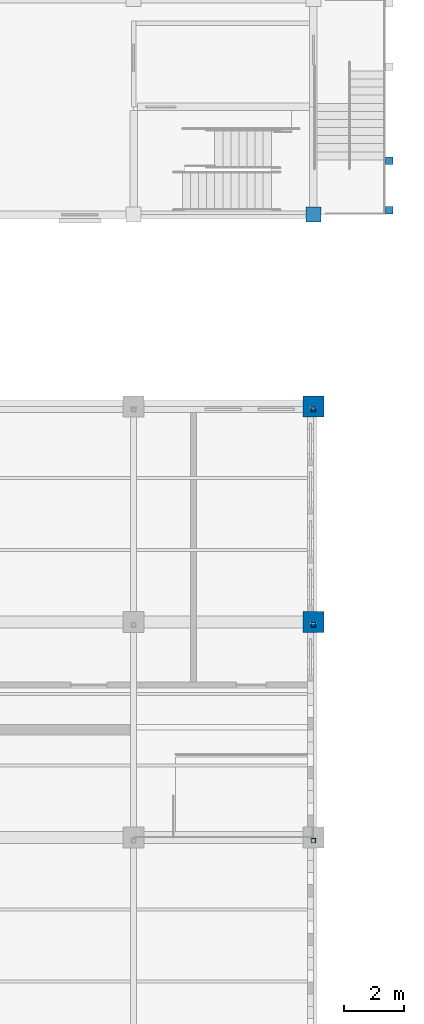
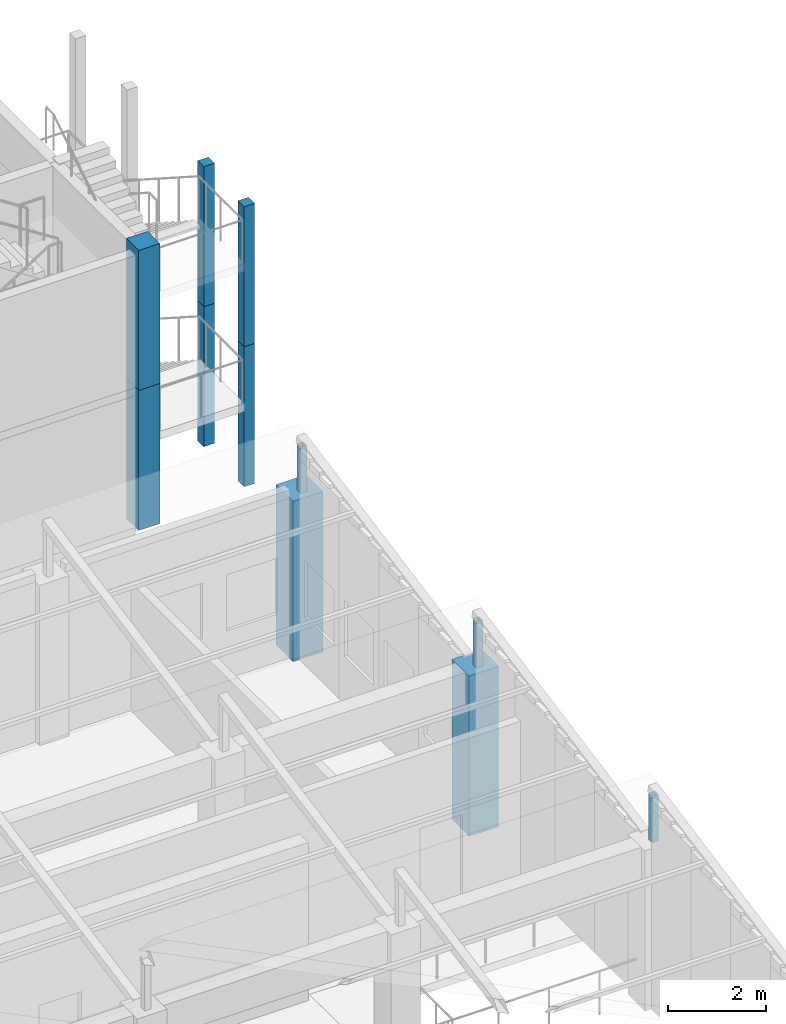
# One storey, part 4 of 103: 11 columns.
"""IFC4 building model written with IfcOpenShell, lengths in metres."""

from ifc_helpers import new_model, si_unit, direction, frame, origin, origin_2d, place, context, subcontext, project, spatial, rectangle, hollow_rectangle, extrude, material, material_profile, profile_set, type_object, element, save


model = new_model("IFC4")

# Units and contexts
model_context = context("Model", 3, precision=1e-05, world=origin(), true_north=direction((0.0, 1.0)))
body_context = subcontext(model_context, "Body", "Model", "MODEL_VIEW")
ifc_project = project(units=[si_unit("LENGTHUNIT", "METRE"), si_unit("AREAUNIT", "SQUARE_METRE"), si_unit("VOLUMEUNIT", "CUBIC_METRE"), si_unit("PLANEANGLEUNIT", "RADIAN"), si_unit("MASSUNIT", "GRAM", prefix="KILO")], contexts=[model_context])

# Site, building, storey
site_placement = place(None, origin())
site = spatial("IfcSite", under=ifc_project, at=site_placement, CompositionType="ELEMENT")
building_placement = place(site_placement, origin())
building = spatial("IfcBuilding", under=site, at=building_placement, Name="Laocheng Heights Fire and Rescue Headquarters", CompositionType="ELEMENT")
storey_placement = place(building_placement, frame((0.0, 0.0, 4.199951171875)))
storey = spatial("IfcBuildingStorey", under=building, at=storey_placement, Name="L01", CompositionType="ELEMENT", Elevation=4.199951171875)

# Columns
ifc_material_1 = material(Name="Concrete C50", Category="concrete")
ifc_material_profile_1 = material_profile(ifc_material_1, rectangle(XDim=0.5, YDim=0.5, at=origin_2d()), Name="RC COLUMN 500x500 C50 DRILL TOWER")
ifc_profile_set_1 = profile_set([ifc_material_profile_1], Name="Concrete C50")
column_type_1 = type_object("IfcColumnType", Name="RC COLUMN 500x500 C50 DRILL TOWER", PredefinedType="COLUMN", material=ifc_profile_set_1)
for number, where, z_axis, x_axis, name in (
    (1, (126.0, 28.0, -0.699951171875), (0.0, 0.0, 1.0), (1.0, 0.0, 0.0), "Drill tower column F2 126/28"),
    (2, (126.0, 28.0, 2.800048828125), (0.0, 0.0, 1.0), (1.0, 0.0, 0.0), "Drill tower column F3 126/28"),
):
    element("IfcColumn", number, at=place(storey_placement, frame(where, z_axis=z_axis, x_axis=x_axis)), inside=storey, type_object=column_type_1, Name=name, PredefinedType="COLUMN", context=body_context, shape_type="SweptSolid", body=[
        extrude(rectangle(XDim=0.5, YDim=0.5, at=origin_2d()), origin(), (0.0, 0.0, 1.0), 3.5),
    ])
ifc_material_2 = material(Name="Concrete C45", Category="concrete")
ifc_material_profile_2 = material_profile(ifc_material_2, rectangle(XDim=0.699951171875, YDim=0.699951171875, at=origin_2d()), Name="RC COLUMN 700x700 WORKSHOP")
ifc_profile_set_2 = profile_set([ifc_material_profile_2], Name="Concrete C45")
column_type_2 = type_object("IfcColumnType", Name="RC COLUMN 700x700 WORKSHOP", PredefinedType="COLUMN", material=ifc_profile_set_2)
for number, where, z_axis, x_axis, name in (
    (3, (126.0, 14.39990234375, 0.0), (0.0, 0.0, 1.0), (1.0, 0.0, 0.0), "Workshop column"),
    (4, (126.0, 21.60009765625, 0.0), (0.0, 0.0, 1.0), (1.0, 0.0, 0.0), "Workshop column"),
):
    element("IfcColumn", number, at=place(storey_placement, frame(where, z_axis=z_axis, x_axis=x_axis)), inside=storey, type_object=column_type_2, Name=name, PredefinedType="COLUMN", context=body_context, shape_type="SweptSolid", body=[
        extrude(rectangle(XDim=0.699951171875, YDim=0.699951171875, at=origin_2d()), origin(), (0.0, 0.0, 1.0), 4.003662109375),
    ])
ifc_material_3 = material(Name="Concrete C40", Category="concrete")
ifc_material_profile_3 = material_profile(ifc_material_3, rectangle(XDim=0.25, YDim=0.25, at=origin_2d()), Name="STAIR LANDING POST 250x250")
ifc_profile_set_3 = profile_set([ifc_material_profile_3], Name="Concrete C40")
column_type_3 = type_object("IfcColumnType", Name="STAIR LANDING POST 250x250", PredefinedType="COLUMN", material=ifc_profile_set_3)
for number, where, z_axis, x_axis, name in (
    (5, (128.52490234375, 28.14501953125, -0.699951171875), (0.0, 0.0, 1.0), (1.0, 0.0, 0.0), "Stair T2 landing post F2 3"),
    (6, (128.52490234375, 29.796875, -0.699951171875), (0.0, 0.0, 1.0), (1.0, 0.0, 0.0), "Stair T2 landing post F2 4"),
    (7, (128.52490234375, 28.14501953125, 2.800048828125), (0.0, 0.0, 1.0), (1.0, 0.0, 0.0), "Stair T2 landing post F3 3"),
    (8, (128.52490234375, 29.796875, 2.800048828125), (0.0, 0.0, 1.0), (1.0, 0.0, 0.0), "Stair T2 landing post F3 4"),
):
    element("IfcColumn", number, at=place(storey_placement, frame(where, z_axis=z_axis, x_axis=x_axis)), inside=storey, type_object=column_type_3, Name=name, PredefinedType="COLUMN", context=body_context, shape_type="SweptSolid", body=[
        extrude(rectangle(XDim=0.25, YDim=0.25, at=origin_2d()), origin(), (0.0, 0.0, 1.0), 3.5),
    ])
ifc_material_4 = material(Name="Steel Q355B", Category="steel")
ifc_material_profile_4 = material_profile(ifc_material_4, hollow_rectangle(XDim=0.14990234375, YDim=0.14990234375, WallThickness=0.008056640625, at=origin_2d()), Name="SHS 150x150x8")
ifc_profile_set_4 = profile_set([ifc_material_profile_4], Name="Steel Q355B")
column_type_4 = type_object("IfcColumnType", Name="STEEL POST SHS 150x150x8 SAWTOOTH", PredefinedType="COLUMN", material=ifc_profile_set_4)
for number, where, z_axis, x_axis, name in (
    (9, (126.0, 7.10009765625, 4.003662109375), (0.0, 0.0, 1.0), (1.0, 0.0, 0.0), "Sawtooth post"),
    (10, (126.0, 14.300048828125, 4.003662109375), (0.0, 0.0, 1.0), (1.0, 0.0, 0.0), "Sawtooth post"),
    (11, (126.0, 21.5, 4.003662109375), (0.0, 0.0, 1.0), (1.0, 0.0, 0.0), "Sawtooth post"),
):
    element("IfcColumn", number, at=place(storey_placement, frame(where, z_axis=z_axis, x_axis=x_axis)), inside=storey, type_object=column_type_4, Name=name, PredefinedType="COLUMN", context=body_context, shape_type="SweptSolid", body=[
        extrude(hollow_rectangle(XDim=0.14990234375, YDim=0.14990234375, WallThickness=0.008056640625, at=origin_2d()), origin(), (0.0, 0.0, 1.0), 1.15478515625),
    ])

save(model, "model.ifc")
